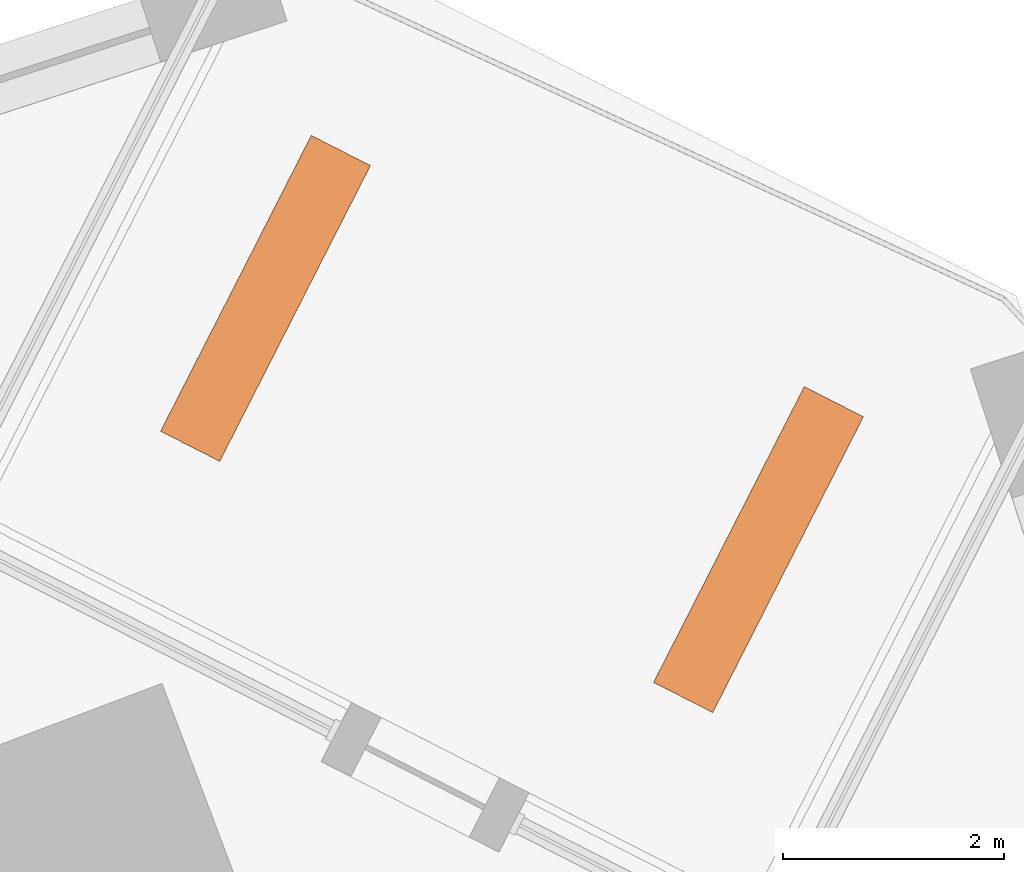
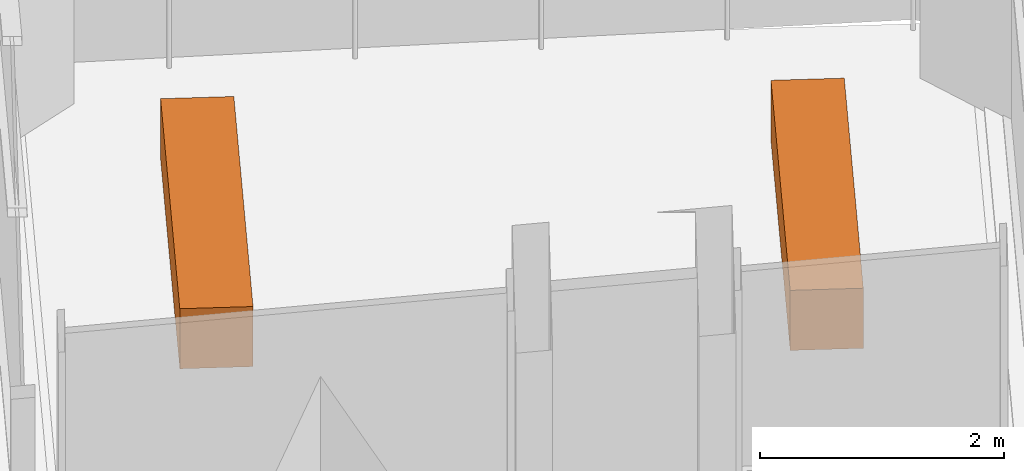
# One storey, part 12 of 12: 2 proxies.
"""IFC4 building model written with IfcOpenShell, lengths in metres."""

from ifc_helpers import new_model, si_unit, direction, frame, origin, origin_2d, place, context, subcontext, project, spatial, rectangle, extrude, element, save


model = new_model("IFC4")

# Units and contexts
model_context = context("Model", 3, precision=1e-05, world=origin(), true_north=direction((0.0, 1.0)))
body_context = subcontext(model_context, "Body", "Model", "MODEL_VIEW")
ifc_project = project(units=[si_unit("LENGTHUNIT", "METRE"), si_unit("AREAUNIT", "SQUARE_METRE"), si_unit("VOLUMEUNIT", "CUBIC_METRE"), si_unit("PLANEANGLEUNIT", "RADIAN"), si_unit("MASSUNIT", "GRAM", prefix="KILO")], contexts=[model_context])

# Site, building, storey
site_placement = place(None, origin())
site = spatial("IfcSite", under=ifc_project, at=site_placement, CompositionType="ELEMENT")
building_placement = place(site_placement, origin())
building = spatial("IfcBuilding", under=site, at=building_placement, Name="Dilmun Exchange Tower", CompositionType="ELEMENT")
storey_placement = place(building_placement, frame((0.0, 0.0, 94.10009765625)))
storey = spatial("IfcBuildingStorey", under=building, at=storey_placement, Name="L21", CompositionType="ELEMENT", Elevation=94.10009765625)

# Proxies
for number, where, z_axis, x_axis, name in (
    (1, (19.09423828125, 28.852783203125, -0.000244140625), (0.0, 0.0, 1.0), (0.45399049974, 0.891006524188, 0.0), "PLANTER Ghaf tree L21.1"),
    (2, (14.63916015625, 31.122802734375, -0.000244140625), (0.0, 0.0, 1.0), (0.45399049974, 0.891006524188, 0.0), "PLANTER Ghaf tree L21.2"),
):
    element("IfcBuildingElementProxy", number, at=place(storey_placement, frame(where, z_axis=z_axis, x_axis=x_axis)), inside=storey, Name=name, ObjectType="PLANTER", PredefinedType="USERDEFINED", context=body_context, shape_type="SweptSolid", body=[
        extrude(rectangle(XDim=3.0, YDim=0.60009765625, at=origin_2d()), origin(), (0.0, 0.0, 1.0), 0.60009765625),
    ])

save(model, "model.ifc")
